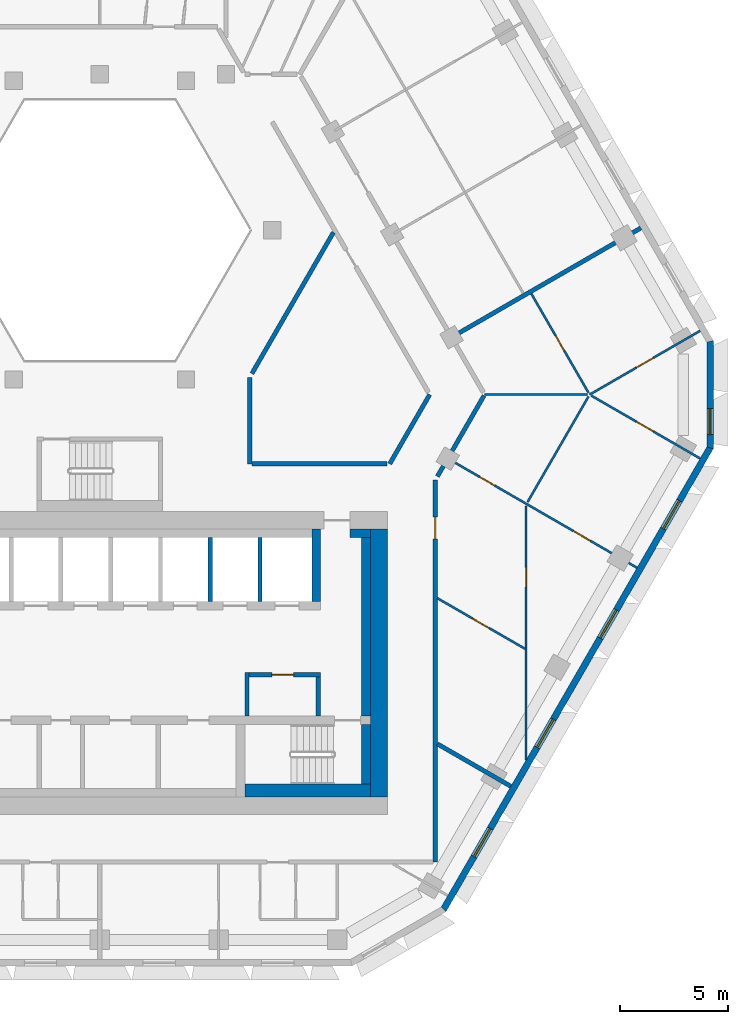
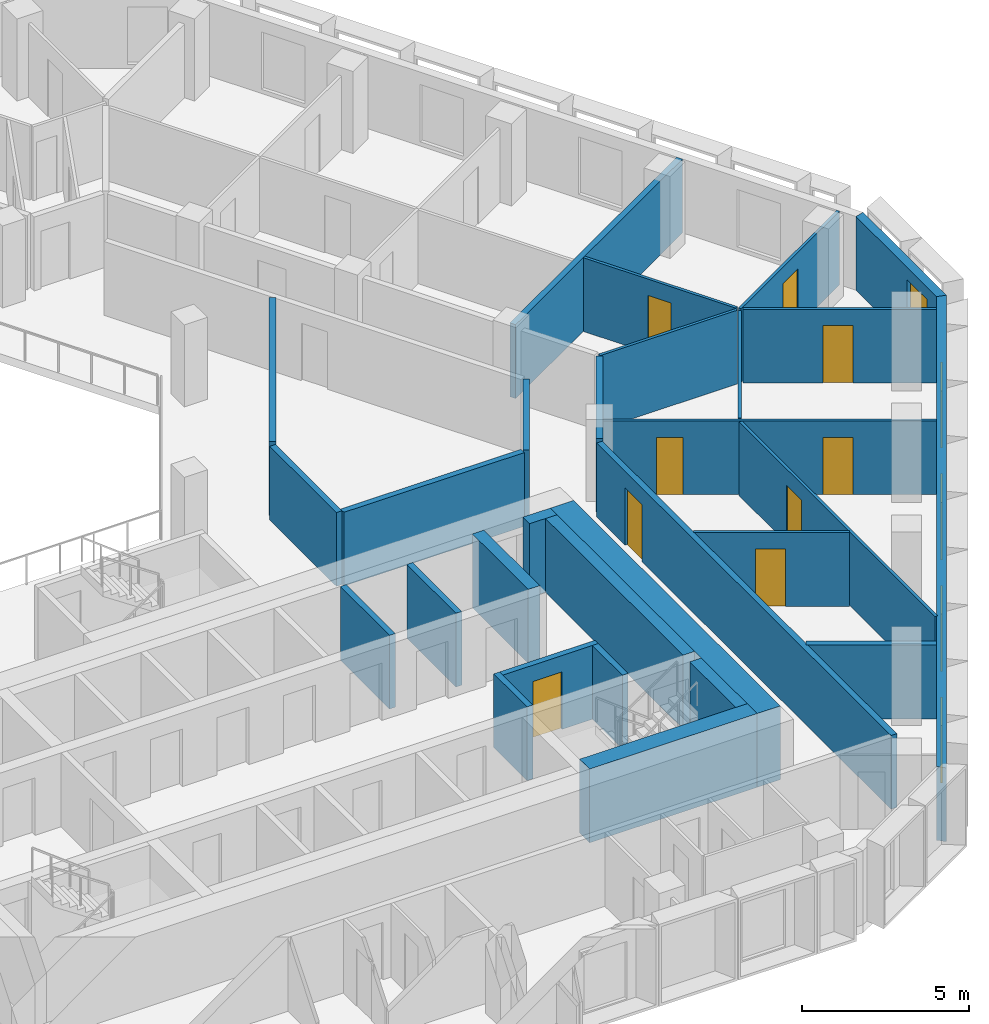
# One storey, part 6 of 15: 29 walls, 9 doors, 5 windows, 14 openings.
"""IFC4 building model written with IfcOpenShell, lengths in metres."""

from ifc_helpers import new_model, si_unit, direction, frame, frame_2d, origin, place, context, subcontext, project, spatial, polyline, rectangle, outline, extrude, material, layer, layer_set, type_object, element, fill, save


model = new_model("IFC4")

# Units and contexts
model_context = context("Model", 3, precision=1e-05, world=origin(), true_north=direction((0.0, 1.0)))
body_context = subcontext(model_context, "Body", "Model", "MODEL_VIEW")
ifc_project = project(units=[si_unit("LENGTHUNIT", "METRE"), si_unit("AREAUNIT", "SQUARE_METRE"), si_unit("VOLUMEUNIT", "CUBIC_METRE"), si_unit("PLANEANGLEUNIT", "RADIAN"), si_unit("MASSUNIT", "GRAM", prefix="KILO")], contexts=[model_context])

# Site, building, storey
site_placement = place(None, origin())
site = spatial("IfcSite", under=ifc_project, at=site_placement, CompositionType="ELEMENT")
building_placement = place(site_placement, origin())
building = spatial("IfcBuilding", under=site, at=building_placement, Name="Beryl Residences", CompositionType="ELEMENT")
storey_placement = place(building_placement, frame((0.0, 0.0, 129.60009765625)))
storey = spatial("IfcBuildingStorey", under=building, at=storey_placement, Name="L39", CompositionType="ELEMENT", Elevation=129.60009765625)

# Wall, openings, windows
ifc_material_1 = material(Name="Composite metal panel with mineral wool insulation")
ifc_layer_1 = layer(ifc_material_1, 0.300048828125)
ifc_layer_set_1 = layer_set([ifc_layer_1], Name="ES1 pale metal composite panel wall 300 mm")
wall_type_1 = type_object("IfcWallType", Name="ES1 pale metal composite panel wall 300 mm", PredefinedType="SOLIDWALL", material=ifc_layer_set_1)
wall_1_placement = place(storey_placement, frame((15.862060546875, -23.425048828125, 0.0), z_axis=(0.0, 0.0, 1.0), x_axis=(0.500017503135, 0.866015298109, 0.0)))
wall_1 = element("IfcWall", 1, at=wall_1_placement, inside=storey, type_object=wall_type_1, Name="ES1 external wall L39 SE", PredefinedType="SOLIDWALL", context=body_context, shape_type="SweptSolid", body=[
    extrude(outline(polyline([(0.0, -0.14990234375), (24.7109375, -0.14990234375), (24.630615234375, 0.14990234375), (0.080322265625, 0.14990234375), (0.0, -0.14990234375)])), origin(), (0.0, 0.0, 1.0), 2.699951171875),
])
opening_1_placement = place(wall_1_placement, frame((2.85693359375, 0.0, 0.14990234375)))
opening_1 = element("IfcOpeningElement", 2, at=opening_1_placement, cuts=wall_1, Name="Opening W1", PredefinedType="OPENING", context=body_context, shape_type="SweptSolid", body=[
    extrude(rectangle(XDim=1.5, YDim=2.10009765625, at=frame_2d((0.75, 1.050048828125))), frame((0.0, 0.159912109375, 0.0), z_axis=(0.0, -1.0, 0.0), x_axis=(1.0, 0.0, 0.0)), (0.0, 0.0, 1.0), 0.320068359375),
])
opening_2_placement = place(wall_1_placement, frame((8.68896484375, 0.0, 0.14990234375)))
opening_2 = element("IfcOpeningElement", 3, at=opening_2_placement, cuts=wall_1, Name="Opening W1", PredefinedType="OPENING", context=body_context, shape_type="SweptSolid", body=[
    extrude(rectangle(XDim=1.5, YDim=2.10009765625, at=frame_2d((0.75, 1.050048828125))), frame((0.0, 0.159912109375, 0.0), z_axis=(0.0, -1.0, 0.0), x_axis=(1.0, 0.0, 0.0)), (0.0, 0.0, 1.0), 0.320068359375),
])
opening_3_placement = place(wall_1_placement, frame((14.52001953125, 0.0, 0.14990234375)))
opening_3 = element("IfcOpeningElement", 4, at=opening_3_placement, cuts=wall_1, Name="Opening W1", PredefinedType="OPENING", context=body_context, shape_type="SweptSolid", body=[
    extrude(rectangle(XDim=1.5, YDim=2.10009765625, at=frame_2d((0.75, 1.050048828125))), frame((0.0, 0.159912109375, 0.0), z_axis=(0.0, -1.0, 0.0), x_axis=(1.0, 0.0, 0.0)), (0.0, 0.0, 1.0), 0.320068359375),
])
opening_4_placement = place(wall_1_placement, frame((20.35107421875, 0.0, 0.14990234375)))
opening_4 = element("IfcOpeningElement", 5, at=opening_4_placement, cuts=wall_1, Name="Opening W1", PredefinedType="OPENING", context=body_context, shape_type="SweptSolid", body=[
    extrude(rectangle(XDim=1.5, YDim=2.10009765625, at=frame_2d((0.75, 1.050048828125))), frame((0.0, 0.159912109375, 0.0), z_axis=(0.0, -1.0, 0.0), x_axis=(1.0, 0.0, 0.0)), (0.0, 0.0, 1.0), 0.320068359375),
])
ifc_material_2 = material(Name="Aluminium and clear glass", Category="aluminium")
window_type_1 = type_object("IfcWindowType", Name="W1 cell window 1500 x 2100 mm", PartitioningType="SINGLE_PANEL", PredefinedType="WINDOW", material=ifc_material_2)
window_1_placement = place(opening_1_placement, origin())
window_1 = element("IfcWindow", 6, at=window_1_placement, inside=storey, type_object=window_type_1, Name="W1 window L39 SE 2", OverallHeight=2.10009765625, OverallWidth=1.5, PartitioningType="SINGLE_PANEL", PredefinedType="WINDOW", context=body_context, shape_type="SweptSolid", body=[
    extrude(rectangle(XDim=1.5, YDim=2.10009765625, at=frame_2d((0.75, 1.050048828125))), frame((0.0, 0.030029296875, 0.0), z_axis=(0.0, -1.0, 0.0), x_axis=(1.0, 0.0, 0.0)), (0.0, 0.0, 1.0), 0.06005859375),
])
fill(opening_1, window_1)
window_2_placement = place(opening_2_placement, origin())
window_2 = element("IfcWindow", 7, at=window_2_placement, inside=storey, type_object=window_type_1, Name="W1 window L39 SE 4", OverallHeight=2.10009765625, OverallWidth=1.5, PartitioningType="SINGLE_PANEL", PredefinedType="WINDOW", context=body_context, shape_type="SweptSolid", body=[
    extrude(rectangle(XDim=1.5, YDim=2.10009765625, at=frame_2d((0.75, 1.050048828125))), frame((0.0, 0.030029296875, 0.0), z_axis=(0.0, -1.0, 0.0), x_axis=(1.0, 0.0, 0.0)), (0.0, 0.0, 1.0), 0.06005859375),
])
fill(opening_2, window_2)
window_3_placement = place(opening_3_placement, origin())
window_3 = element("IfcWindow", 8, at=window_3_placement, inside=storey, type_object=window_type_1, Name="W1 window L39 SE 6", OverallHeight=2.10009765625, OverallWidth=1.5, PartitioningType="SINGLE_PANEL", PredefinedType="WINDOW", context=body_context, shape_type="SweptSolid", body=[
    extrude(rectangle(XDim=1.5, YDim=2.10009765625, at=frame_2d((0.75, 1.050048828125))), frame((0.0, 0.030029296875, 0.0), z_axis=(0.0, -1.0, 0.0), x_axis=(1.0, 0.0, 0.0)), (0.0, 0.0, 1.0), 0.06005859375),
])
fill(opening_3, window_3)
window_4_placement = place(opening_4_placement, origin())
window_4 = element("IfcWindow", 9, at=window_4_placement, inside=storey, type_object=window_type_1, Name="W1 window L39 SE 8", OverallHeight=2.10009765625, OverallWidth=1.5, PartitioningType="SINGLE_PANEL", PredefinedType="WINDOW", context=body_context, shape_type="SweptSolid", body=[
    extrude(rectangle(XDim=1.5, YDim=2.10009765625, at=frame_2d((0.75, 1.050048828125))), frame((0.0, 0.030029296875, 0.0), z_axis=(0.0, -1.0, 0.0), x_axis=(1.0, 0.0, 0.0)), (0.0, 0.0, 1.0), 0.06005859375),
])
fill(opening_4, window_4)

# Wall, opening, window
wall_2_placement = place(storey_placement, frame((28.197998046875, -2.10009765625, 0.0), z_axis=(0.0, 0.0, 1.0), x_axis=(0.0, 1.0, 0.0)))
wall_2 = element("IfcWall", 10, at=wall_2_placement, inside=storey, type_object=wall_type_1, Name="ES1 external wall L39 SE-NE", PredefinedType="SOLIDWALL", context=body_context, shape_type="SweptSolid", body=[
    extrude(outline(polyline([(0.0, -0.14990234375), (5.0, -0.14990234375), (4.919677734375, 0.14990234375), (0.080322265625, 0.14990234375), (0.0, -0.14990234375)])), origin(), (0.0, 0.0, 1.0), 2.699951171875),
])
opening_5_placement = place(wall_2_placement, frame((0.64990234375, 0.0, 0.14990234375)))
opening_5 = element("IfcOpeningElement", 11, at=opening_5_placement, cuts=wall_2, Name="Opening W2", PredefinedType="OPENING", context=body_context, shape_type="SweptSolid", body=[
    extrude(rectangle(XDim=1.199951171875, YDim=2.10009765625, at=frame_2d((0.60009765625, 1.050048828125))), frame((0.0, 0.159912109375, 0.0), z_axis=(0.0, -1.0, 0.0), x_axis=(1.0, 0.0, 0.0)), (0.0, 0.0, 1.0), 0.320068359375),
])
ifc_material_3 = material(Name="Aluminium and clear glass", Category="aluminium")
window_type_2 = type_object("IfcWindowType", Name="W2 chamfer window 1200 x 2100 mm", PartitioningType="SINGLE_PANEL", PredefinedType="WINDOW", material=ifc_material_3)
window_5_placement = place(opening_5_placement, origin())
window_5 = element("IfcWindow", 12, at=window_5_placement, inside=storey, type_object=window_type_2, Name="W2 window L39 SE-NE 1", OverallHeight=2.10009765625, OverallWidth=1.199951171875, PartitioningType="SINGLE_PANEL", PredefinedType="WINDOW", context=body_context, shape_type="SweptSolid", body=[
    extrude(rectangle(XDim=1.199951171875, YDim=2.10009765625, at=frame_2d((0.60009765625, 1.050048828125))), frame((0.0, 0.030029296875, 0.0), z_axis=(0.0, -1.0, 0.0), x_axis=(1.0, 0.0, 0.0)), (0.0, 0.0, 1.0), 0.06005859375),
])
fill(opening_5, window_5)

# Wall, opening, door
ifc_material_4 = material(Name="Gypsum board partition on steel studs", Category="steel")
ifc_layer_2 = layer(ifc_material_4, 0.10009765625)
ifc_layer_set_2 = layer_set([ifc_layer_2], Name="PT1 partition 100 mm gypsum board on steel studs")
wall_type_2 = type_object("IfcWallType", Name="PT1 partition 100 mm gypsum board on steel studs", PredefinedType="PARTITIONING", material=ifc_layer_set_2)
wall_3_placement = place(storey_placement, frame((19.93994140625, 5.06298828125, 0.0), z_axis=(0.0, 0.0, 1.0), x_axis=(0.500025085526, -0.866010920165, 0.0)))
wall_3 = element("IfcWall", 13, at=wall_3_placement, inside=storey, type_object=wall_type_2, Name="Wall PT1 L39 004", PredefinedType="PARTITIONING", context=body_context, shape_type="SweptSolid", body=[
    extrude(rectangle(XDim=5.283935546875, YDim=0.10009765625, at=frame_2d((2.64208984375, 0.0))), origin(), (0.0, 0.0, 1.0), 2.699951171875),
])
opening_6_placement = place(wall_3_placement, frame((2.241943359375, 0.0, 0.0)))
opening_6 = element("IfcOpeningElement", 14, at=opening_6_placement, cuts=wall_3, Name="Opening D1218", PredefinedType="OPENING", context=body_context, shape_type="SweptSolid", body=[
    extrude(rectangle(XDim=0.800048828125, YDim=2.10009765625, at=frame_2d((0.39990234375, 1.050048828125))), frame((0.0, 0.06005859375, 0.0), z_axis=(0.0, -1.0, 0.0), x_axis=(1.0, 0.0, 0.0)), (0.0, 0.0, 1.0), 0.1201171875),
])
ifc_material_5 = material(Name="Timber door leaf", Category="wood")
door_type_1 = type_object("IfcDoorType", Name="D3 bathroom door 800 x 2100 mm", OperationType="SINGLE_SWING_LEFT", PredefinedType="DOOR", material=ifc_material_5)
door_1_placement = place(opening_6_placement, origin())
door_1 = element("IfcDoor", 15, at=door_1_placement, inside=storey, type_object=door_type_1, Name="Door D1218 L39 001", OperationType="SINGLE_SWING_RIGHT", OverallHeight=2.10009765625, OverallWidth=0.800048828125, PredefinedType="DOOR", context=body_context, shape_type="SweptSolid", body=[
    extrude(rectangle(XDim=0.800048828125, YDim=2.10009765625, at=frame_2d((0.39990234375, 1.050048828125))), frame((0.0, 0.02490234375, 0.0), z_axis=(0.0, -1.0, 0.0), x_axis=(1.0, 0.0, 0.0)), (0.0, 0.0, 1.0), 0.050048828125),
])
fill(opening_6, door_1)

wall_4_placement = place(storey_placement, frame((15.60009765625, -9.008056640625, 0.0), z_axis=(0.0, 0.0, 1.0), x_axis=(0.866049960314, -0.49995746443, 0.0)))
wall_4 = element("IfcWall", 16, at=wall_4_placement, inside=storey, type_object=wall_type_2, Name="Wall PT1 L39 016", PredefinedType="PARTITIONING", context=body_context, shape_type="SweptSolid", body=[
    extrude(rectangle(XDim=4.67626953125, YDim=0.10009765625, at=frame_2d((2.338134765625, 0.0))), origin(), (0.0, 0.0, 1.0), 2.699951171875),
])
opening_7_placement = place(wall_4_placement, frame((1.85888671875, 0.0, 0.0)))
opening_7 = element("IfcOpeningElement", 17, at=opening_7_placement, cuts=wall_4, Name="Opening D1213", PredefinedType="OPENING", context=body_context, shape_type="SweptSolid", body=[
    extrude(rectangle(XDim=0.89990234375, YDim=2.10009765625, at=frame_2d((0.449951171875, 1.050048828125))), frame((0.0, 0.06005859375, 0.0), z_axis=(0.0, -1.0, 0.0), x_axis=(1.0, 0.0, 0.0)), (0.0, 0.0, 1.0), 0.1201171875),
])
ifc_material_6 = material(Name="Timber door leaf", Category="wood")
door_type_2 = type_object("IfcDoorType", Name="D2 room door 900 x 2100 mm", OperationType="SINGLE_SWING_LEFT", PredefinedType="DOOR", material=ifc_material_6)
door_2_placement = place(opening_7_placement, origin())
door_2 = element("IfcDoor", 18, at=door_2_placement, inside=storey, type_object=door_type_2, Name="Door D1213 L39 001", OperationType="SINGLE_SWING_LEFT", OverallHeight=2.10009765625, OverallWidth=0.89990234375, PredefinedType="DOOR", context=body_context, shape_type="SweptSolid", body=[
    extrude(rectangle(XDim=0.89990234375, YDim=2.10009765625, at=frame_2d((0.449951171875, 1.050048828125))), frame((0.0, 0.02490234375, 0.0), z_axis=(0.0, -1.0, 0.0), x_axis=(1.0, 0.0, 0.0)), (0.0, 0.0, 1.0), 0.050048828125),
])
fill(opening_7, door_2)

# Wall, openings, doors
wall_5_placement = place(storey_placement, frame((16.1650390625, -2.60107421875, 0.0), z_axis=(0.0, 0.0, 1.0), x_axis=(0.866016855193, -0.500014806302, 0.0)))
wall_5 = element("IfcWall", 19, at=wall_5_placement, inside=storey, type_object=wall_type_2, Name="Wall PT1 L39 018", PredefinedType="PARTITIONING", context=body_context, shape_type="SweptSolid", body=[
    extrude(rectangle(XDim=9.999755859375, YDim=0.10009765625, at=frame_2d((5.0, 0.0))), origin(), (0.0, 0.0, 1.0), 2.699951171875),
])
opening_8_placement = place(wall_5_placement, frame((1.60009765625, 0.0, 0.0)))
opening_8 = element("IfcOpeningElement", 20, at=opening_8_placement, cuts=wall_5, Name="Opening D1214", PredefinedType="OPENING", context=body_context, shape_type="SweptSolid", body=[
    extrude(rectangle(XDim=0.800048828125, YDim=2.10009765625, at=frame_2d((0.39990234375, 1.050048828125))), frame((0.0, 0.06005859375, 0.0), z_axis=(0.0, -1.0, 0.0), x_axis=(1.0, 0.0, 0.0)), (0.0, 0.0, 1.0), 0.1201171875),
])
opening_9_placement = place(wall_5_placement, frame((6.60009765625, 0.0, 0.0)))
opening_9 = element("IfcOpeningElement", 21, at=opening_9_placement, cuts=wall_5, Name="Opening D1215", PredefinedType="OPENING", context=body_context, shape_type="SweptSolid", body=[
    extrude(rectangle(XDim=0.89990234375, YDim=2.10009765625, at=frame_2d((0.449951171875, 1.050048828125))), frame((0.0, 0.06005859375, 0.0), z_axis=(0.0, -1.0, 0.0), x_axis=(1.0, 0.0, 0.0)), (0.0, 0.0, 1.0), 0.1201171875),
])
door_3_placement = place(opening_9_placement, origin())
door_3 = element("IfcDoor", 22, at=door_3_placement, inside=storey, type_object=door_type_2, Name="Door D1215 L39 001", OperationType="SINGLE_SWING_LEFT", OverallHeight=2.10009765625, OverallWidth=0.89990234375, PredefinedType="DOOR", context=body_context, shape_type="SweptSolid", body=[
    extrude(rectangle(XDim=0.89990234375, YDim=2.10009765625, at=frame_2d((0.449951171875, 1.050048828125))), frame((0.0, 0.02490234375, 0.0), z_axis=(0.0, -1.0, 0.0), x_axis=(1.0, 0.0, 0.0)), (0.0, 0.0, 1.0), 0.050048828125),
])
fill(opening_9, door_3)
door_4_placement = place(opening_8_placement, origin())
door_4 = element("IfcDoor", 23, at=door_4_placement, inside=storey, type_object=door_type_1, Name="Door D1214 L39 001", OperationType="SINGLE_SWING_RIGHT", OverallHeight=2.10009765625, OverallWidth=0.800048828125, PredefinedType="DOOR", context=body_context, shape_type="SweptSolid", body=[
    extrude(rectangle(XDim=0.800048828125, YDim=2.10009765625, at=frame_2d((0.39990234375, 1.050048828125))), frame((0.0, 0.02490234375, 0.0), z_axis=(0.0, -1.0, 0.0), x_axis=(1.0, 0.0, 0.0)), (0.0, 0.0, 1.0), 0.050048828125),
])
fill(opening_8, door_4)

# Wall, opening, door
wall_6_placement = place(storey_placement, frame((22.718017578125, 0.34912109375, 0.0), z_axis=(0.0, 0.0, 1.0), x_axis=(0.86601454848, -0.500018801468, 0.0)))
wall_6 = element("IfcWall", 24, at=wall_6_placement, inside=storey, type_object=wall_type_2, Name="Wall PT1 L39 019", PredefinedType="PARTITIONING", context=body_context, shape_type="SweptSolid", body=[
    extrude(rectangle(XDim=5.800048828125, YDim=0.10009765625, at=frame_2d((2.89990234375, 0.0))), origin(), (0.0, 0.0, 1.0), 2.699951171875),
])
opening_10_placement = place(wall_6_placement, frame((2.39990234375, 0.0, 0.0)))
opening_10 = element("IfcOpeningElement", 25, at=opening_10_placement, cuts=wall_6, Name="Opening D1216", PredefinedType="OPENING", context=body_context, shape_type="SweptSolid", body=[
    extrude(rectangle(XDim=0.89990234375, YDim=2.10009765625, at=frame_2d((0.449951171875, 1.050048828125))), frame((0.0, 0.06005859375, 0.0), z_axis=(0.0, -1.0, 0.0), x_axis=(1.0, 0.0, 0.0)), (0.0, 0.0, 1.0), 0.1201171875),
])
door_5_placement = place(opening_10_placement, origin())
door_5 = element("IfcDoor", 26, at=door_5_placement, inside=storey, type_object=door_type_2, Name="Door D1216 L39 001", OperationType="SINGLE_SWING_RIGHT", OverallHeight=2.10009765625, OverallWidth=0.89990234375, PredefinedType="DOOR", context=body_context, shape_type="SweptSolid", body=[
    extrude(rectangle(XDim=0.89990234375, YDim=2.10009765625, at=frame_2d((0.449951171875, 1.050048828125))), frame((0.0, 0.02490234375, 0.0), z_axis=(0.0, -1.0, 0.0), x_axis=(1.0, 0.0, 0.0)), (0.0, 0.0, 1.0), 0.050048828125),
])
fill(opening_10, door_5)

# Walls
wall_7_placement = place(storey_placement, frame((17.781982421875, 0.40087890625, 0.0), z_axis=(0.0, 0.0, 1.0), x_axis=(1.0, 0.0, 0.0)))
element("IfcWall", 27, at=wall_7_placement, inside=storey, type_object=wall_type_2, Name="Wall PT1 L39 024", PredefinedType="PARTITIONING", context=body_context, shape_type="SweptSolid", body=[
    extrude(rectangle(XDim=4.7470703125, YDim=0.10009765625, at=frame_2d((2.37353515625, 0.0))), origin(), (0.0, 0.0, 1.0), 2.699951171875),
])
wall_8_placement = place(storey_placement, frame((19.764892578125, -4.56396484375, 0.0), z_axis=(0.0, 0.0, 1.0), x_axis=(0.500060182325, 0.865990654714, 0.0)))
element("IfcWall", 28, at=wall_8_placement, inside=storey, type_object=wall_type_2, Name="Wall PT1 L39 029", PredefinedType="PARTITIONING", context=body_context, shape_type="SweptSolid", body=[
    extrude(rectangle(XDim=5.631591796875, YDim=0.10009765625, at=frame_2d((2.81591796875, 0.0))), origin(), (0.0, 0.0, 1.0), 2.699951171875),
])

# Wall, opening, door
wall_9_placement = place(storey_placement, frame((19.699951171875, -16.47705078125, 0.0), z_axis=(0.0, 0.0, 1.0), x_axis=(0.0, 1.0, 0.0)))
wall_9 = element("IfcWall", 29, at=wall_9_placement, inside=storey, type_object=wall_type_2, Name="Wall PT1 L39 042", PredefinedType="PARTITIONING", context=body_context, shape_type="SweptSolid", body=[
    extrude(rectangle(XDim=11.741943359375, YDim=0.10009765625, at=frame_2d((5.87109375, 0.0))), origin(), (0.0, 0.0, 1.0), 2.699951171875),
])
opening_11_placement = place(wall_9_placement, frame((7.990966796875, 0.0, 0.0)))
opening_11 = element("IfcOpeningElement", 30, at=opening_11_placement, cuts=wall_9, Name="Opening D1212", PredefinedType="OPENING", context=body_context, shape_type="SweptSolid", body=[
    extrude(rectangle(XDim=0.89990234375, YDim=2.10009765625, at=frame_2d((0.449951171875, 1.050048828125))), frame((0.0, 0.06005859375, 0.0), z_axis=(0.0, -1.0, 0.0), x_axis=(1.0, 0.0, 0.0)), (0.0, 0.0, 1.0), 0.1201171875),
])
door_6_placement = place(opening_11_placement, origin())
door_6 = element("IfcDoor", 31, at=door_6_placement, inside=storey, type_object=door_type_2, Name="Door D1212 L39 001", OperationType="SINGLE_SWING_RIGHT", OverallHeight=2.10009765625, OverallWidth=0.89990234375, PredefinedType="DOOR", context=body_context, shape_type="SweptSolid", body=[
    extrude(rectangle(XDim=0.89990234375, YDim=2.10009765625, at=frame_2d((0.449951171875, 1.050048828125))), frame((0.0, 0.02490234375, 0.0), z_axis=(0.0, -1.0, 0.0), x_axis=(1.0, 0.0, 0.0)), (0.0, 0.0, 1.0), 0.050048828125),
])
fill(opening_11, door_6)

wall_10_placement = place(storey_placement, frame((22.634033203125, 0.40087890625, 0.0), z_axis=(0.0, 0.0, 1.0), x_axis=(0.86601325737, 0.500021037617, 0.0)))
wall_10 = element("IfcWall", 32, at=wall_10_placement, inside=storey, type_object=wall_type_2, Name="Wall PT1 L39 049", PredefinedType="PARTITIONING", context=body_context, shape_type="SweptSolid", body=[
    extrude(rectangle(XDim=5.898193359375, YDim=0.10009765625, at=frame_2d((2.94921875, 0.0))), origin(), (0.0, 0.0, 1.0), 2.699951171875),
])
opening_12_placement = place(wall_10_placement, frame((2.4990234375, 0.0, 0.0)))
opening_12 = element("IfcOpeningElement", 33, at=opening_12_placement, cuts=wall_10, Name="Opening D1217", PredefinedType="OPENING", context=body_context, shape_type="SweptSolid", body=[
    extrude(rectangle(XDim=0.89990234375, YDim=2.10009765625, at=frame_2d((0.449951171875, 1.050048828125))), frame((0.0, 0.06005859375, 0.0), z_axis=(0.0, -1.0, 0.0), x_axis=(1.0, 0.0, 0.0)), (0.0, 0.0, 1.0), 0.1201171875),
])
door_7_placement = place(opening_12_placement, origin())
door_7 = element("IfcDoor", 34, at=door_7_placement, inside=storey, type_object=door_type_2, Name="Door D1217 L39 001", OperationType="SINGLE_SWING_LEFT", OverallHeight=2.10009765625, OverallWidth=0.89990234375, PredefinedType="DOOR", context=body_context, shape_type="SweptSolid", body=[
    extrude(rectangle(XDim=0.89990234375, YDim=2.10009765625, at=frame_2d((0.449951171875, 1.050048828125))), frame((0.0, 0.02490234375, 0.0), z_axis=(0.0, -1.0, 0.0), x_axis=(1.0, 0.0, 0.0)), (0.0, 0.0, 1.0), 0.050048828125),
])
fill(opening_12, door_7)

# Wall
ifc_material_7 = material(Name="Concrete masonry", Category="masonry")
ifc_layer_3 = layer(ifc_material_7, 0.199951171875)
ifc_layer_set_3 = layer_set([ifc_layer_3], Name="PT13 lobby wall 200 mm")
wall_type_3 = type_object("IfcWallType", Name="PT13 lobby wall 200 mm", PredefinedType="PARTITIONING", material=ifc_layer_set_3)
wall_11_placement = place(storey_placement, frame((6.800048828125, -14.449951171875, 0.0), z_axis=(0.0, 0.0, 1.0), x_axis=(0.0, 1.0, 0.0)))
element("IfcWall", 35, at=wall_11_placement, inside=storey, type_object=wall_type_3, Name="Lobby wall 23", PredefinedType="PARTITIONING", context=body_context, shape_type="SweptSolid", body=[
    extrude(rectangle(XDim=2.0, YDim=0.199951171875, at=frame_2d((1.0, 0.0))), origin(), (0.0, 0.0, 1.0), 2.699951171875),
])

# Wall, opening, door
wall_12_placement = place(storey_placement, frame((6.89990234375, -12.550048828125, 0.0), z_axis=(0.0, 0.0, 1.0), x_axis=(1.0, 0.0, 0.0)))
wall_12 = element("IfcWall", 36, at=wall_12_placement, inside=storey, type_object=wall_type_3, Name="Lobby wall 24", PredefinedType="PARTITIONING", context=body_context, shape_type="SweptSolid", body=[
    extrude(rectangle(XDim=3.300048828125, YDim=0.199951171875, at=frame_2d((1.64990234375, 0.0))), origin(), (0.0, 0.0, 1.0), 2.699951171875),
])
opening_13_placement = place(wall_12_placement, frame((2.050048828125, 0.0, 0.0), z_axis=(0.0, 0.0, 1.0), x_axis=(-1.0, 0.0, 0.0)))
opening_13 = element("IfcOpeningElement", 37, at=opening_13_placement, cuts=wall_12, Name="Opening CD-D-A1", PredefinedType="OPENING", context=body_context, shape_type="SweptSolid", body=[
    extrude(rectangle(XDim=1.0, YDim=2.10009765625, at=frame_2d((0.5, 1.050048828125))), frame((0.0, 0.10986328125, 0.0), z_axis=(0.0, -1.0, 0.0), x_axis=(1.0, 0.0, 0.0)), (0.0, 0.0, 1.0), 0.219970703125),
])
ifc_material_8 = material(Name="Steel door leaf in steel frame", Category="steel")
door_type_3 = type_object("IfcDoorType", Name="D18 service room door 1000 x 2100 mm", OperationType="SINGLE_SWING_LEFT", PredefinedType="DOOR", material=ifc_material_8)
door_8_placement = place(opening_13_placement, origin())
door_8 = element("IfcDoor", 38, at=door_8_placement, inside=storey, type_object=door_type_3, Name="Door CD-D-A1 L39 001", OperationType="SINGLE_SWING_RIGHT", OverallHeight=2.10009765625, OverallWidth=1.0, PredefinedType="DOOR", context=body_context, shape_type="SweptSolid", body=[
    extrude(rectangle(XDim=1.0, YDim=2.10009765625, at=frame_2d((0.5, 1.050048828125))), frame((0.0, 0.02490234375, 0.0), z_axis=(0.0, -1.0, 0.0), x_axis=(1.0, 0.0, 0.0)), (0.0, 0.0, 1.0), 0.050048828125),
])
fill(opening_13, door_8)

# Walls
wall_13_placement = place(storey_placement, frame((10.10009765625, -14.449951171875, 0.0), z_axis=(0.0, 0.0, 1.0), x_axis=(0.0, 1.0, 0.0)))
element("IfcWall", 39, at=wall_13_placement, inside=storey, type_object=wall_type_3, Name="Lobby wall 26", PredefinedType="PARTITIONING", context=body_context, shape_type="SweptSolid", body=[
    extrude(rectangle(XDim=1.800048828125, YDim=0.199951171875, at=frame_2d((0.89990234375, 0.0))), origin(), (0.0, 0.0, 1.0), 2.699951171875),
])
ifc_material_9 = material(Name="Concrete masonry", Category="masonry")
ifc_layer_4 = layer(ifc_material_9, 0.39990234375)
ifc_layer_set_4 = layer_set([ifc_layer_4], Name="PT13-400 lobby wall 400 mm")
wall_type_4 = type_object("IfcWallType", Name="PT13-400 lobby wall 400 mm", PredefinedType="PARTITIONING", material=ifc_layer_set_4)
wall_14_placement = place(storey_placement, frame((11.550048828125, -6.0, 0.0), z_axis=(0.0, 0.0, 1.0), x_axis=(1.0, 0.0, 0.0)))
element("IfcWall", 40, at=wall_14_placement, inside=storey, type_object=wall_type_4, Name="Lobby wall 27", PredefinedType="PARTITIONING", context=body_context, shape_type="SweptSolid", body=[
    extrude(rectangle(XDim=0.949951171875, YDim=0.39990234375, at=frame_2d((0.47509765625, 0.0))), origin(), (0.0, 0.0, 1.0), 2.699951171875),
])
wall_15_placement = place(storey_placement, frame((12.300048828125, -14.449951171875, 0.0), z_axis=(0.0, 0.0, 1.0), x_axis=(0.0, 1.0, 0.0)))
element("IfcWall", 41, at=wall_15_placement, inside=storey, type_object=wall_type_4, Name="Lobby wall 29", PredefinedType="PARTITIONING", context=body_context, shape_type="SweptSolid", body=[
    extrude(rectangle(XDim=8.25, YDim=0.39990234375, at=frame_2d((4.125, 0.0))), origin(), (0.0, 0.0, 1.0), 2.699951171875),
])
ifc_material_10 = material(Name="Acoustic double stud gypsum board wall")
ifc_layer_5 = layer(ifc_material_10, 0.199951171875)
ifc_layer_set_5 = layer_set([ifc_layer_5], Name="PT3 party wall 200 mm acoustic double stud")
wall_type_5 = type_object("IfcWallType", Name="PT3 party wall 200 mm acoustic double stud", PredefinedType="PARTITIONING", material=ifc_layer_set_5)
wall_16_placement = place(storey_placement, frame((15.60009765625, -15.740966796875, 0.0), z_axis=(0.0, 0.0, 1.0), x_axis=(0.865964599155, -0.500105301922, 0.0)))
element("IfcWall", 42, at=wall_16_placement, inside=storey, type_object=wall_type_5, Name="Wall PT3 L39 007", PredefinedType="PARTITIONING", context=body_context, shape_type="SweptSolid", body=[
    extrude(rectangle(XDim=3.919189453125, YDim=0.199951171875, at=frame_2d((1.95947265625, 0.0))), origin(), (0.0, 0.0, 1.0), 2.699951171875),
])
wall_17_placement = place(storey_placement, frame((16.339111328125, 3.10009765625, 0.0), z_axis=(0.0, 0.0, 1.0), x_axis=(0.866016855193, 0.500014806302, 0.0)))
element("IfcWall", 43, at=wall_17_placement, inside=storey, type_object=wall_type_5, Name="Wall PT3 L39 011", PredefinedType="PARTITIONING", context=body_context, shape_type="SweptSolid", body=[
    extrude(rectangle(XDim=9.999755859375, YDim=0.199951171875, at=frame_2d((5.0, 0.0))), origin(), (0.0, 0.0, 1.0), 2.699951171875),
])
ifc_material_11 = material(Name="Double stud gypsum board wall")
ifc_layer_6 = layer(ifc_material_11, 0.199951171875)
ifc_layer_set_6 = layer_set([ifc_layer_6], Name="PT4 corridor wall 200 mm double stud")
wall_type_6 = type_object("IfcWallType", Name="PT4 corridor wall 200 mm double stud", PredefinedType="PARTITIONING", material=ifc_layer_set_6)
wall_18_placement = place(storey_placement, frame((7.028076171875, -2.800048828125, 0.0), z_axis=(0.0, 0.0, 1.0), x_axis=(1.0, 0.0, 0.0)))
element("IfcWall", 44, at=wall_18_placement, inside=storey, type_object=wall_type_6, Name="Wall PT4 L39 014", PredefinedType="PARTITIONING", context=body_context, shape_type="SweptSolid", body=[
    extrude(rectangle(XDim=6.25, YDim=0.199951171875, at=frame_2d((3.125, 0.0))), origin(), (0.0, 0.0, 1.0), 2.699951171875),
])
wall_19_placement = place(storey_placement, frame((7.028076171875, 1.373046875, 0.0), z_axis=(0.0, 0.0, 1.0), x_axis=(0.499954271211, 0.866051803703, 0.0)))
element("IfcWall", 45, at=wall_19_placement, inside=storey, type_object=wall_type_6, Name="Wall PT4 L39 018", PredefinedType="PARTITIONING", context=body_context, shape_type="SweptSolid", body=[
    extrude(rectangle(XDim=7.536376953125, YDim=0.199951171875, at=frame_2d((3.76806640625, 0.0))), origin(), (0.0, 0.0, 1.0), 2.699951171875),
])
wall_20_placement = place(storey_placement, frame((13.39404296875, -2.800048828125, 0.0), z_axis=(0.0, 0.0, 1.0), x_axis=(0.499968324138, 0.866043691079, 0.0)))
element("IfcWall", 46, at=wall_20_placement, inside=storey, type_object=wall_type_6, Name="Wall PT4 L39 019", PredefinedType="PARTITIONING", context=body_context, shape_type="SweptSolid", body=[
    extrude(rectangle(XDim=3.696044921875, YDim=0.199951171875, at=frame_2d((1.84814453125, 0.0))), origin(), (0.0, 0.0, 1.0), 2.699951171875),
])
wall_21_placement = place(storey_placement, frame((15.60009765625, -3.37890625, 0.0), z_axis=(0.0, 0.0, 1.0), x_axis=(0.499882759391, 0.866093082101, 0.0)))
element("IfcWall", 47, at=wall_21_placement, inside=storey, type_object=wall_type_6, Name="Wall PT4 L39 020", PredefinedType="PARTITIONING", context=body_context, shape_type="SweptSolid", body=[
    extrude(rectangle(XDim=4.306640625, YDim=0.199951171875, at=frame_2d((2.1533203125, 0.0))), origin(), (0.0, 0.0, 1.0), 2.699951171875),
])
wall_22_placement = place(storey_placement, frame((6.927978515625, -2.800048828125, 0.0), z_axis=(0.0, 0.0, 1.0), x_axis=(0.0, 1.0, 0.0)))
element("IfcWall", 48, at=wall_22_placement, inside=storey, type_object=wall_type_6, Name="Wall PT4 L39 024", PredefinedType="PARTITIONING", context=body_context, shape_type="SweptSolid", body=[
    extrude(rectangle(XDim=4.0, YDim=0.199951171875, at=frame_2d((2.0, 0.0))), origin(), (0.0, 0.0, 1.0), 2.699951171875),
])

# Wall, opening, door
wall_23_placement = place(storey_placement, frame((15.5, -21.198974609375, 0.0), z_axis=(0.0, 0.0, 1.0), x_axis=(0.0, 1.0, 0.0)))
wall_23 = element("IfcWall", 49, at=wall_23_placement, inside=storey, type_object=wall_type_6, Name="Wall PT4 L39 025", PredefinedType="PARTITIONING", context=body_context, shape_type="SweptSolid", body=[
    extrude(rectangle(XDim=17.64697265625, YDim=0.199951171875, at=frame_2d((8.823486328125, 0.0))), origin(), (0.0, 0.0, 1.0), 2.699951171875),
])
opening_14_placement = place(wall_23_placement, frame((14.93408203125, 0.0, 0.0)))
opening_14 = element("IfcOpeningElement", 50, at=opening_14_placement, cuts=wall_23, Name="Opening D1211", PredefinedType="OPENING", context=body_context, shape_type="SweptSolid", body=[
    extrude(rectangle(XDim=1.0, YDim=2.10009765625, at=frame_2d((0.5, 1.050048828125))), frame((0.0, 0.10986328125, 0.0), z_axis=(0.0, -1.0, 0.0), x_axis=(1.0, 0.0, 0.0)), (0.0, 0.0, 1.0), 0.219970703125),
])
ifc_material_12 = material(Name="Timber door leaf", Category="wood")
door_type_4 = type_object("IfcDoorType", Name="D1 flat entrance door 1000 x 2100 mm", OperationType="SINGLE_SWING_LEFT", PredefinedType="DOOR", material=ifc_material_12)
door_9_placement = place(opening_14_placement, origin())
door_9 = element("IfcDoor", 51, at=door_9_placement, inside=storey, type_object=door_type_4, Name="Door D1211 L39 001", OperationType="SINGLE_SWING_LEFT", OverallHeight=2.10009765625, OverallWidth=1.0, PredefinedType="DOOR", context=body_context, shape_type="SweptSolid", body=[
    extrude(rectangle(XDim=1.0, YDim=2.10009765625, at=frame_2d((0.5, 1.050048828125))), frame((0.0, 0.02490234375, 0.0), z_axis=(0.0, -1.0, 0.0), x_axis=(1.0, 0.0, 0.0)), (0.0, 0.0, 1.0), 0.050048828125),
])
fill(opening_14, door_9)

# Walls
ifc_material_13 = material(Name="Concrete C40/50", Category="concrete")
ifc_layer_7 = layer(ifc_material_13, 0.39990234375)
ifc_layer_set_7 = layer_set([ifc_layer_7], Name="PT5-400 stair enclosure wall 400 mm")
wall_type_7 = type_object("IfcWallType", Name="PT5-400 stair enclosure wall 400 mm", PredefinedType="SOLIDWALL", material=ifc_layer_set_7)
wall_24_placement = place(storey_placement, frame((12.300048828125, -17.60009765625, 0.0), z_axis=(0.0, 0.0, 1.0), x_axis=(0.0, 1.0, 0.0)))
element("IfcWall", 52, at=wall_24_placement, inside=storey, type_object=wall_type_7, Name="Stair wall 28", PredefinedType="SOLIDWALL", context=body_context, shape_type="SweptSolid", body=[
    extrude(rectangle(XDim=2.75, YDim=0.39990234375, at=frame_2d((1.375, 0.0))), origin(), (0.0, 0.0, 1.0), 2.699951171875),
])
ifc_material_14 = material(Name="Concrete C40/50", Category="concrete")
ifc_layer_8 = layer(ifc_material_14, 0.60009765625)
ifc_layer_set_8 = layer_set([ifc_layer_8], Name="PT5-600 stair enclosure wall 600 mm")
wall_type_8 = type_object("IfcWallType", Name="PT5-600 stair enclosure wall 600 mm", PredefinedType="SOLIDWALL", material=ifc_layer_set_8)
wall_25_placement = place(storey_placement, frame((6.699951171875, -17.89990234375, 0.0), z_axis=(0.0, 0.0, 1.0), x_axis=(1.0, 0.0, 0.0)))
element("IfcWall", 53, at=wall_25_placement, inside=storey, type_object=wall_type_8, Name="Stair wall 22", PredefinedType="SOLIDWALL", context=body_context, shape_type="SweptSolid", body=[
    extrude(rectangle(XDim=5.800048828125, YDim=0.60009765625, at=frame_2d((2.89990234375, 0.0))), origin(), (0.0, 0.0, 1.0), 2.699951171875),
])
ifc_material_15 = material(Name="Concrete C40/50", Category="concrete")
ifc_layer_9 = layer(ifc_material_15, 0.199951171875)
ifc_layer_set_9 = layer_set([ifc_layer_9], Name="PT6 lift shaft wall 200 mm reinforced concrete C40/50")
wall_type_9 = type_object("IfcWallType", Name="PT6 lift shaft wall 200 mm reinforced concrete C40/50", PredefinedType="SOLIDWALL", material=ifc_layer_set_9)
for number, where, z_axis, x_axis, name in (
    (54, (5.10009765625, -9.14990234375, 0.0), (0.0, 0.0, 1.0), (0.0, 1.0, 0.0), "Lift shaft wall 21"),
    (55, (7.39990234375, -9.14990234375, 0.0), (0.0, 0.0, 1.0), (0.0, 1.0, 0.0), "Lift shaft wall 25"),
):
    element("IfcWall", number, at=place(storey_placement, frame(where, z_axis=z_axis, x_axis=x_axis)), inside=storey, type_object=wall_type_9, Name=name, PredefinedType="SOLIDWALL", context=body_context, shape_type="SweptSolid", body=[
        extrude(rectangle(XDim=2.949951171875, YDim=0.199951171875, at=frame_2d((1.47509765625, 0.0))), origin(), (0.0, 0.0, 1.0), 2.699951171875),
    ])
ifc_material_16 = material(Name="Concrete C60/75", Category="concrete")
ifc_layer_10 = layer(ifc_material_16, 0.800048828125)
ifc_layer_set_10 = layer_set([ifc_layer_10], Name="SW3 core outer wall 800 mm C60/75")
wall_type_10 = type_object("IfcWallType", Name="SW3 core outer wall 800 mm C60/75", PredefinedType="SHEAR", material=ifc_layer_set_10)
wall_26_placement = place(storey_placement, frame((12.89990234375, -18.199951171875, 0.0), z_axis=(0.0, 0.0, 1.0), x_axis=(0.0, 1.0, 0.0)))
element("IfcWall", 56, at=wall_26_placement, inside=storey, type_object=wall_type_10, Name="Core wall E L39", PredefinedType="SHEAR", context=body_context, shape_type="SweptSolid", body=[
    extrude(rectangle(XDim=12.39990234375, YDim=0.800048828125, at=frame_2d((6.199951171875, 0.0))), origin(), (0.0, 0.0, 1.0), 2.699951171875),
])
ifc_material_17 = material(Name="Concrete C60/75", Category="concrete")
ifc_layer_11 = layer(ifc_material_17, 0.39990234375)
ifc_layer_set_11 = layer_set([ifc_layer_11], Name="SW8 core internal wall 400 mm C60/75")
wall_type_11 = type_object("IfcWallType", Name="SW8 core internal wall 400 mm C60/75", PredefinedType="SHEAR", material=ifc_layer_set_11)
wall_27_placement = place(storey_placement, frame((10.0, -9.14990234375, 0.0), z_axis=(0.0, 0.0, 1.0), x_axis=(0.0, 1.0, 0.0)))
element("IfcWall", 57, at=wall_27_placement, inside=storey, type_object=wall_type_11, Name="Core wall XN2 L39", PredefinedType="SHEAR", context=body_context, shape_type="SweptSolid", body=[
    extrude(rectangle(XDim=3.349853515625, YDim=0.39990234375, at=frame_2d((1.6748046875, 0.0))), origin(), (0.0, 0.0, 1.0), 2.699951171875),
])

save(model, "model.ifc")
